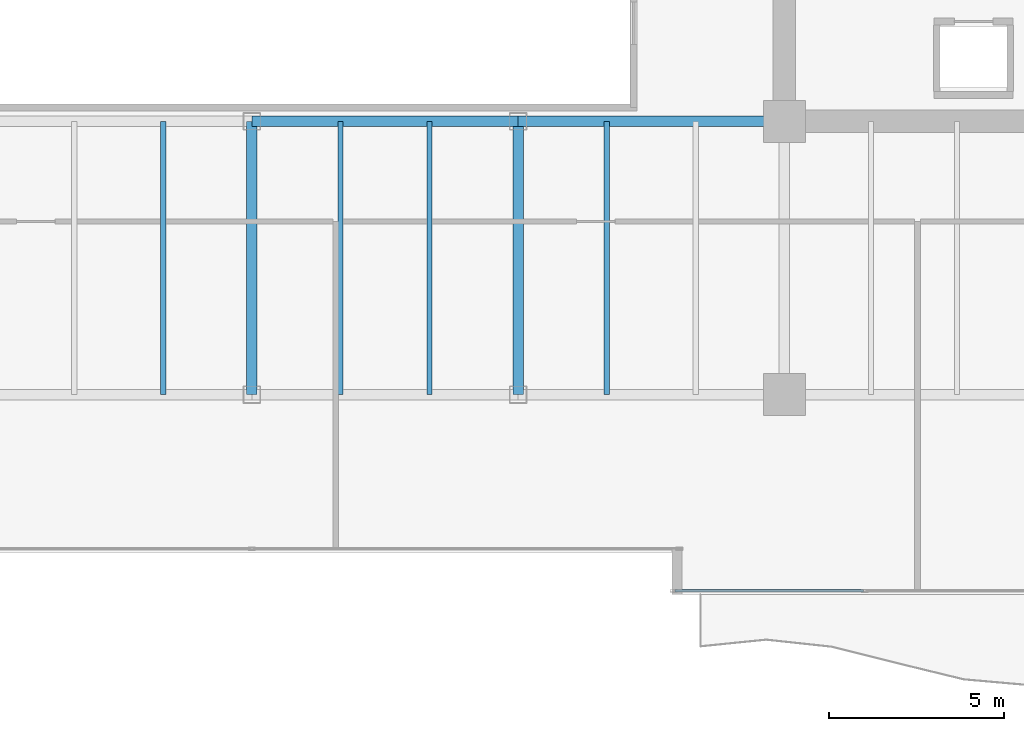
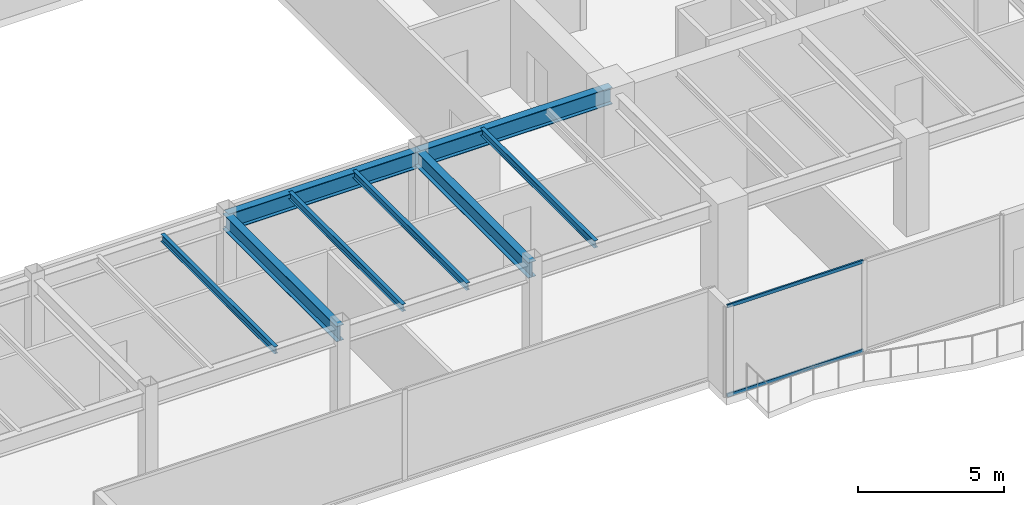
# One storey, part 9 of 30: 8 beams, 2 members, 1 element without a shape of its own.
"""IFC4 building model written with IfcOpenShell, lengths in metres."""

from ifc_helpers import new_model, si_unit, direction, frame, origin, origin_2d, place, context, subcontext, project, spatial, hollow_rectangle, i_section, extrude, source, transform, mapped, material, layer, layer_set, material_profile, profile_set, type_object, type_shapes, element, aggregate, save


model = new_model("IFC4")

# Units and contexts
model_context = context("Model", 3, precision=1e-05, world=origin(), true_north=direction((0.0, 1.0)))
body_context = subcontext(model_context, "Body", "Model", "MODEL_VIEW")
ifc_project = project(units=[si_unit("LENGTHUNIT", "METRE"), si_unit("AREAUNIT", "SQUARE_METRE"), si_unit("VOLUMEUNIT", "CUBIC_METRE"), si_unit("PLANEANGLEUNIT", "RADIAN"), si_unit("MASSUNIT", "GRAM", prefix="KILO")], contexts=[model_context])

# Site, building, storey
site_placement = place(None, origin())
site = spatial("IfcSite", under=ifc_project, at=site_placement, CompositionType="ELEMENT")
building_placement = place(site_placement, origin())
building = spatial("IfcBuilding", under=site, at=building_placement, Name="Haelvirn Gate Laboratories", CompositionType="ELEMENT")
storey_placement = place(building_placement, frame((0.0, 0.0, 113.300048828125)))
storey = spatial("IfcBuildingStorey", under=building, at=storey_placement, Name="L27", CompositionType="ELEMENT", Elevation=113.300048828125)

# Beams
ifc_material_1 = material(Name="Steel SM355", Category="steel")
ifc_material_profile_1 = material_profile(ifc_material_1, i_section(OverallWidth=0.300048828125, OverallDepth=0.64990234375, WebThickness=0.012939453125, FlangeThickness=0.02197265625, at=origin_2d()), Name="H-650x300x13x22")
ifc_profile_set_1 = profile_set([ifc_material_profile_1], Name="Steel SM355")
beam_type_1 = type_object("IfcBeamType", Name="BM-G-650", PredefinedType="BEAM", material=ifc_profile_set_1)
shared_shape_1 = source(origin(), body_context, "Body", "SweptSolid", [
    extrude(i_section(OverallWidth=0.300048828125, OverallDepth=0.64990234375, WebThickness=0.012939453125, FlangeThickness=0.02197265625, at=origin_2d()), origin(), (0.0, 0.0, 1.0), 7.800048828125),
])
type_shapes(beam_type_1, [shared_shape_1])
for number, where, z_axis, x_axis, name in (
    (1, (37.39990234375, 7.0, 3.46484375), (0.0, 1.0, 0.0), (-1.0, 0.0, 0.0), "L27 Frame Girder X37.4 (7.0-14.8)"),
    (2, (45.0, 7.0, 3.46484375), (0.0, 1.0, 0.0), (-1.0, 0.0, 0.0), "L27 Frame Girder X45.0 (7.0-14.8)"),
):
    element("IfcBeam", number, at=place(storey_placement, frame(where, z_axis=z_axis, x_axis=x_axis)), inside=storey, type_object=beam_type_1, Name=name, PredefinedType="BEAM", context=body_context, shape_type="MappedRepresentation", body=[
        mapped(shared_shape_1, transform((0.0, 0.0, 0.0), scale=1.0)),
    ])
ifc_material_profile_2 = material_profile(ifc_material_1, i_section(OverallWidth=0.300048828125, OverallDepth=0.699951171875, WebThickness=0.012939453125, FlangeThickness=0.02392578125, at=origin_2d()), Name="H-700x300x13x24")
ifc_profile_set_2 = profile_set([ifc_material_profile_2], Name="Steel SM355")
beam_type_2 = type_object("IfcBeamType", Name="BM-G-700", PredefinedType="BEAM", material=ifc_profile_set_2)
shared_shape_2 = source(origin(), body_context, "Body", "SweptSolid", [
    extrude(i_section(OverallWidth=0.300048828125, OverallDepth=0.699951171875, WebThickness=0.012939453125, FlangeThickness=0.02392578125, at=origin_2d()), origin(), (0.0, 0.0, 1.0), 7.60009765625),
])
type_shapes(beam_type_2, [shared_shape_2])
for number, where, z_axis, x_axis, name in (
    (3, (37.39990234375, 14.800048828125, 3.43994140625), (1.0, 0.0, 0.0), (0.0, 1.0, 0.0), "L27 Primary Girder Y14.8 (37.4-45.0)"),
    (4, (45.0, 14.800048828125, 3.43994140625), (1.0, 0.0, 0.0), (0.0, 1.0, 0.0), "L27 Primary Girder Y14.8 (45.0-52.6)"),
):
    element("IfcBeam", number, at=place(storey_placement, frame(where, z_axis=z_axis, x_axis=x_axis)), inside=storey, type_object=beam_type_2, Name=name, PredefinedType="BEAM", context=body_context, shape_type="MappedRepresentation", body=[
        mapped(shared_shape_2, transform((0.0, 0.0, 0.0), scale=1.0)),
    ])
ifc_material_profile_3 = material_profile(ifc_material_1, i_section(OverallWidth=0.14990234375, OverallDepth=0.300048828125, WebThickness=0.006591796875, FlangeThickness=0.009033203125, at=origin_2d()), Name="H-300x150x6.5x9")
ifc_profile_set_3 = profile_set([ifc_material_profile_3], Name="Steel SM355")
beam_type_3 = type_object("IfcBeamType", Name="BM-J-300", PredefinedType="JOIST", material=ifc_profile_set_3)
shared_shape_3 = source(origin(), body_context, "Body", "SweptSolid", [
    extrude(i_section(OverallWidth=0.14990234375, OverallDepth=0.300048828125, WebThickness=0.006591796875, FlangeThickness=0.009033203125, at=origin_2d()), origin(), (0.0, 0.0, 1.0), 7.800048828125),
])
type_shapes(beam_type_3, [shared_shape_3])
for number, where, z_axis, x_axis, name in (
    (5, (34.8701171875, 7.0, 3.639892578125), (0.0, 1.0, 0.0), (-1.0, 0.0, 0.0), "L27 Composite Lab Joist South X34.87"),
    (6, (39.929931640625, 7.0, 3.639892578125), (0.0, 1.0, 0.0), (-1.0, 0.0, 0.0), "L27 Composite Lab Joist South X39.93"),
    (7, (42.469970703125, 7.0, 3.639892578125), (0.0, 1.0, 0.0), (-1.0, 0.0, 0.0), "L27 Composite Lab Joist South X42.47"),
    (8, (47.530029296875, 7.0, 3.639892578125), (0.0, 1.0, 0.0), (-1.0, 0.0, 0.0), "L27 Composite Lab Joist South X47.53"),
):
    element("IfcBeam", number, at=place(storey_placement, frame(where, z_axis=z_axis, x_axis=x_axis)), inside=storey, type_object=beam_type_3, Name=name, PredefinedType="JOIST", context=body_context, shape_type="MappedRepresentation", body=[
        mapped(shared_shape_3, transform((0.0, 0.0, 0.0), scale=1.0)),
    ])

# Curtain wall, members
ifc_material_2 = material(Name="Anodised bronze unitised aluminium & triple low-E glass", Category="aluminium")
ifc_layer = layer(ifc_material_2, 0.179931640625, Name="CW-SYS-3")
ifc_layer_set = layer_set([ifc_layer], Name="Anodised bronze unitised aluminium & triple low-E glass")
curtain_wall_type = type_object("IfcCurtainWallType", Name="CW-SYS-3", PredefinedType="NOTDEFINED", material=ifc_layer_set)
curtain_wall_placement = place(storey_placement, origin())
curtain_wall = element("IfcCurtainWall", 9, at=curtain_wall_placement, inside=storey, type_object=curtain_wall_type, Name="L27 Unitised Curtain Wall CW-L27-P0-E04-1", PredefinedType="NOTDEFINED")
ifc_material_3 = material(Name="Extruded aluminium 6063-T6 (anodised bronze)", Category="aluminium")
ifc_material_profile_4 = material_profile(ifc_material_3, hollow_rectangle(XDim=0.06494140625, YDim=0.139892578125, WallThickness=0.00390625, at=origin_2d()), Name="CWT-140x65x4")
ifc_profile_set_4 = profile_set([ifc_material_profile_4], Name="Extruded aluminium 6063-T6 (anodised bronze)")
member_type = type_object("IfcMemberType", Name="CWT-T140", PredefinedType="USERDEFINED", material=ifc_profile_set_4)
shared_shape_4 = source(origin(), body_context, "Body", "SweptSolid", [
    extrude(hollow_rectangle(XDim=0.06494140625, YDim=0.139892578125, WallThickness=0.00390625, at=origin_2d()), origin(), (0.0, 0.0, 1.0), 5.38232421875),
])
type_shapes(member_type, [shared_shape_4])
member_1_placement = place(storey_placement, frame((49.47509765625, 1.39990234375, 0.032470703125), z_axis=(1.0, 0.0, 0.0), x_axis=(0.0, 1.0, 0.0)))
member_1 = element("IfcMember", 10, at=member_1_placement, type_object=member_type, Name="CW3 transom 1.1", ObjectType="TRANSOM", PredefinedType="USERDEFINED", context=body_context, shape_type="MappedRepresentation", body=[
    mapped(shared_shape_4, transform((0.0, 0.0, 0.0), scale=1.0)),
])
member_2_placement = place(storey_placement, frame((49.47509765625, 1.39990234375, 3.757568359375), z_axis=(1.0, 0.0, 0.0), x_axis=(0.0, 1.0, 0.0)))
member_2 = element("IfcMember", 11, at=member_2_placement, type_object=member_type, Name="CW3 transom 1.2", ObjectType="TRANSOM", PredefinedType="USERDEFINED", context=body_context, shape_type="MappedRepresentation", body=[
    mapped(shared_shape_4, transform((0.0, 0.0, 0.0), scale=1.0)),
])
aggregate(curtain_wall, [member_1, member_2])

save(model, "model.ifc")
